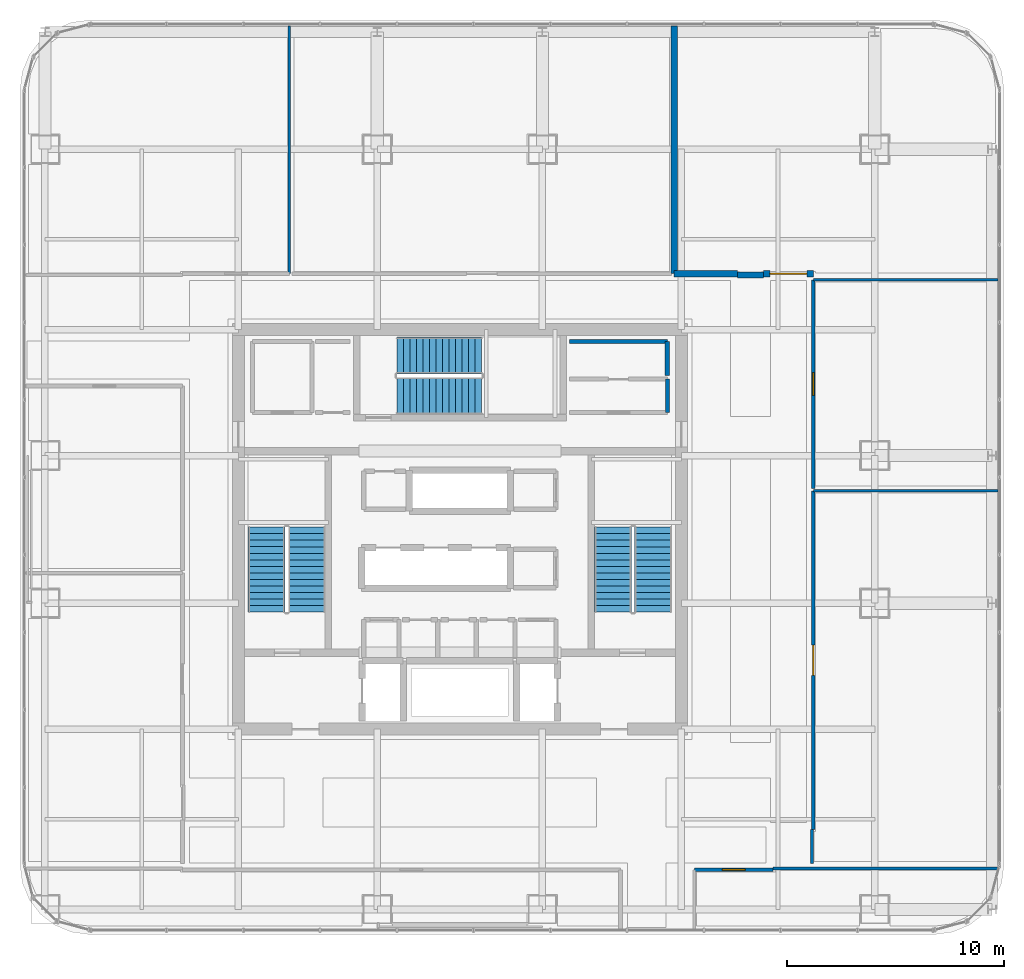
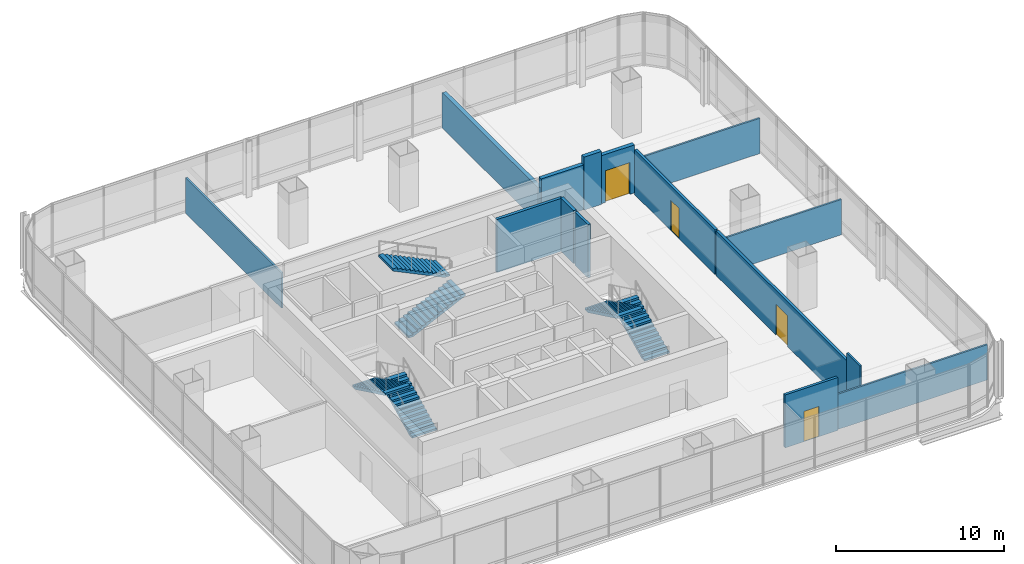
# One storey, part 35 of 40: 15 walls, 6 stair flights, 4 doors, 4 openings, 3 elements without a shape of their own.
"""IFC4 building model written with IfcOpenShell, lengths in metres."""

import ifcopenshell
import ifcopenshell.guid

model = None  # the IFC model being written
_history = None  # IfcOwnerHistory: only IFC2X3 demands one
_inside = {}  # id of a spatial element -> (the spatial element, [elements in it])
_under = {}  # id of a project, library or spatial element -> (it, [spatial elements below it])
_declared = {}  # id of a project -> (the project, [libraries it declares])
_typed = {}  # id of a type object -> (the type object, [elements of that type])
_made_of = {}  # id of a material, layer set ... -> (it, [elements and type objects made of it])


def new_model(schema):
    """Start an empty IFC model of exactly this schema.

    Asked for "IFC4X3", IfcOpenShell would pick the latest addendum, in which some entities
    have other attributes; the version numbers below select the first issue.
    IFC2X3 requires an IfcOwnerHistory on every rooted entity: one is made here for all.
    """
    global model, _history
    if schema == "IFC4X3":
        model = ifcopenshell.file(schema_version=(4, 3, 0, 0))
    else:
        model = ifcopenshell.file(schema=schema)
    _inside.clear()
    _under.clear()
    _declared.clear()
    _typed.clear()
    _made_of.clear()
    _history = None
    if model.schema == "IFC2X3":
        org = make("IfcOrganization", Name="unknown")
        user = make(
            "IfcPersonAndOrganization",
            ThePerson=make("IfcPerson", FamilyName="unknown"),
            TheOrganization=org,
        )
        app = make(
            "IfcApplication",
            ApplicationDeveloper=org,
            Version="unknown",
            ApplicationFullName="unknown",
            ApplicationIdentifier="unknown",
        )
        _history = make(
            "IfcOwnerHistory",
            OwningUser=user,
            OwningApplication=app,
            ChangeAction="ADDED",
            CreationDate=0,
        )
    return model


def make(cls, **values):
    """One entity of the class cls with the attributes given. An attribute that is None is left unset."""
    return model.create_entity(
        cls, **{name: value for name, value in values.items() if value is not None}
    )


def rooted(cls, **values):
    """An entity with a GlobalId (a new one), such as an element, a storey or a relation."""
    return make(cls, GlobalId=ifcopenshell.guid.new(), OwnerHistory=_history, **values)


def si_unit(unit_type, name, prefix=None):
    """IfcSIUnit, for example si_unit("LENGTHUNIT", "METRE", prefix="MILLI")."""
    return make("IfcSIUnit", UnitType=unit_type, Prefix=prefix, Name=name)


def assignment(units):
    """IfcUnitAssignment: the units of a project."""
    return None if units is None else make("IfcUnitAssignment", Units=units)


def point(xyz):
    """IfcCartesianPoint."""
    return None if xyz is None else make("IfcCartesianPoint", Coordinates=xyz)


def direction(xyz):
    """IfcDirection."""
    return None if xyz is None else make("IfcDirection", DirectionRatios=xyz)


def frame(location, z_axis=None, x_axis=None):
    """IfcAxis2Placement3D, a coordinate frame: its origin and axes. An axis left out is left unset."""
    return make(
        "IfcAxis2Placement3D",
        Location=point(location),
        Axis=direction(z_axis),
        RefDirection=direction(x_axis),
    )


def frame_2d(location, x_axis=None):
    """IfcAxis2Placement2D, a coordinate frame in the plane: its origin and x axis."""
    return make(
        "IfcAxis2Placement2D", Location=point(location), RefDirection=direction(x_axis)
    )


def origin():
    """The frame at (0, 0, 0) with its axes left unset."""
    return frame((0.0, 0.0, 0.0))


def place(relative_to, where):
    """IfcLocalPlacement: puts the frame where relative to a parent placement (None: the world)."""
    return make(
        "IfcLocalPlacement", PlacementRelTo=relative_to, RelativePlacement=where
    )


def context(
    kind, dimensions, precision=None, world=None, true_north=None, identifier=None
):
    """IfcGeometricRepresentationContext, for example the 3D "Model" context."""
    return make(
        "IfcGeometricRepresentationContext",
        ContextIdentifier=identifier,
        ContextType=kind,
        CoordinateSpaceDimension=dimensions,
        Precision=precision,
        WorldCoordinateSystem=world,
        TrueNorth=true_north,
    )


def subcontext(parent, identifier, kind, view, scale=None):
    """IfcGeometricRepresentationSubContext, for example "Body" below "Model"."""
    return make(
        "IfcGeometricRepresentationSubContext",
        ContextIdentifier=identifier,
        ContextType=kind,
        ParentContext=parent,
        TargetScale=scale,
        TargetView=view,
    )


def project(units=None, contexts=None):
    """IfcProject with its units and contexts."""
    return rooted(
        "IfcProject",
        Name="project",
        RepresentationContexts=contexts,
        UnitsInContext=assignment(units),
    )


def spatial(cls, under=None, at=None, **own):
    """A site, building, storey or space (cls), placed at a placement, below another one or the project."""
    s = rooted(cls, ObjectPlacement=at, **own)
    if under is not None:
        _under.setdefault(under.id(), (under, []))[1].append(s)
    return s


def polyline(points):
    """IfcPolyline through the points."""
    return make("IfcPolyline", Points=[point(p) for p in points])


def profile(cls, at=None, kind="AREA", **sizes):
    """A parametric profile (cls). Its sizes go by their IFC names, for example OverallWidth=200.0."""
    return make(cls, ProfileType=kind, Position=at, **sizes)


def rectangle(**sizes):
    """IfcRectangleProfileDef."""
    return profile("IfcRectangleProfileDef", **sizes)


def outline(outer, holes=None, kind="AREA"):
    """IfcArbitraryClosedProfileDef: a profile drawn as a closed curve; with holes, ...WithVoids."""
    if holes is None:
        return make("IfcArbitraryClosedProfileDef", ProfileType=kind, OuterCurve=outer)
    return make(
        "IfcArbitraryProfileDefWithVoids",
        ProfileType=kind,
        OuterCurve=outer,
        InnerCurves=holes,
    )


def extrude(swept, where, along, depth):
    """IfcExtrudedAreaSolid: the profile swept, set in the frame where, extruded along a direction by depth."""
    return make(
        "IfcExtrudedAreaSolid",
        SweptArea=swept,
        Position=where,
        ExtrudedDirection=direction(along),
        Depth=depth,
    )


def shape(context_of_items, identifier, shape_type, items):
    """IfcShapeRepresentation: the items that make up one representation, for example the "Body"."""
    return make(
        "IfcShapeRepresentation",
        ContextOfItems=context_of_items,
        RepresentationIdentifier=identifier,
        RepresentationType=shape_type,
        Items=items,
    )


def material(Name=None, Category=None):
    """IfcMaterial."""
    return make("IfcMaterial", Name=Name, Category=Category)


def layer(
    of_material, thickness, ventilated=None, Name=None, Category=None, Priority=None
):
    """IfcMaterialLayer: one layer of a wall or slab, of a material (None: an air gap)."""
    return make(
        "IfcMaterialLayer",
        Material=of_material,
        LayerThickness=thickness,
        IsVentilated=ventilated,
        Name=Name,
        Category=Category,
        Priority=Priority,
    )


def layer_set(layers, Name=None):
    """IfcMaterialLayerSet."""
    return make("IfcMaterialLayerSet", MaterialLayers=layers, LayerSetName=Name)


def made_of(thing, what):
    """Note that an element or type object is made of a material, layer set ...; save() writes the relation."""
    if what is not None:
        _made_of.setdefault(what.id(), (what, []))[1].append(thing)
    return thing


def type_object(cls, material=None, **own):
    """A type object (cls), such as IfcWallType, which elements share."""
    return made_of(rooted(cls, **own), material)


def element(
    cls,
    number,
    at=None,
    inside=None,
    cuts=None,
    type_object=None,
    material=None,
    context=None,
    identifier="Body",
    shape_type=None,
    held_by="IfcProductDefinitionShape",
    body=None,
    shapes=None,
    **own,
):
    """One element of the class cls, such as IfcWall. Its Tag is "e" and its number.

    at: its placement. inside: the storey or other place that contains it. cuts: it is an
    opening in that element (IfcRelVoidsElement). A single representation is given by context,
    identifier, shape_type and body (its items); several are given by shapes. held_by: the class
    of the entity that holds the representations. save() writes the other relations.
    """
    e = rooted(cls, Tag="e%d" % number, ObjectPlacement=at, **own)
    if body is not None:
        shapes = [shape(context, identifier, shape_type, body)]
    if shapes is not None:
        e.Representation = make(held_by, Representations=shapes)
    if inside is not None:
        _inside.setdefault(inside.id(), (inside, []))[1].append(e)
    if cuts is not None:
        rooted(
            "IfcRelVoidsElement", RelatingBuildingElement=cuts, RelatedOpeningElement=e
        )
    if type_object is not None:
        _typed.setdefault(type_object.id(), (type_object, []))[1].append(e)
    return made_of(e, material)


def fill(opening, filler):
    """IfcRelFillsElement: the door or window that sits in an opening."""
    return rooted(
        "IfcRelFillsElement",
        RelatingOpeningElement=opening,
        RelatedBuildingElement=filler,
    )


def aggregate(whole, parts):
    """IfcRelAggregates: a whole, such as a stair, and the parts it consists of."""
    return rooted("IfcRelAggregates", RelatingObject=whole, RelatedObjects=parts)


def save(model, path):
    """Write the relations noted so far, then the file.

    IfcRelAggregates (storeys below a building ...), IfcRelContainedInSpatialStructure (elements
    in a storey), IfcRelDefinesByType, IfcRelAssociatesMaterial and IfcRelDeclares: one each for
    every whole, place, type object, material and project.
    """
    for whole, parts in _under.values():
        aggregate(whole, parts)
    for where, things in _inside.values():
        rooted(
            "IfcRelContainedInSpatialStructure",
            RelatedElements=things,
            RelatingStructure=where,
        )
    for kind, things in _typed.values():
        rooted("IfcRelDefinesByType", RelatedObjects=things, RelatingType=kind)
    for what, things in _made_of.values():
        rooted("IfcRelAssociatesMaterial", RelatedObjects=things, RelatingMaterial=what)
    for by, libraries in _declared.values():
        rooted("IfcRelDeclares", RelatingContext=by, RelatedDefinitions=libraries)
    model.write(path)


model = new_model("IFC4")

# Units and contexts
model_context = context("Model", 3, precision=1e-05, world=origin(), true_north=direction((0.0, 1.0)))
body_context = subcontext(model_context, "Body", "Model", "MODEL_VIEW")
ifc_project = project(units=[si_unit("LENGTHUNIT", "METRE"), si_unit("AREAUNIT", "SQUARE_METRE"), si_unit("VOLUMEUNIT", "CUBIC_METRE"), si_unit("PLANEANGLEUNIT", "RADIAN"), si_unit("MASSUNIT", "GRAM", prefix="KILO")], contexts=[model_context])

# Site, building, storey
site_placement = place(None, origin())
site = spatial("IfcSite", under=ifc_project, at=site_placement, CompositionType="ELEMENT")
building_placement = place(site_placement, origin())
building = spatial("IfcBuilding", under=site, at=building_placement, Name="Punatoya Terracotta Tower", CompositionType="ELEMENT")
storey_placement = place(building_placement, frame((0.0, 0.0, 271.64990234375)))
storey = spatial("IfcBuildingStorey", under=building, at=storey_placement, Name="L64", CompositionType="ELEMENT", Elevation=271.64990234375)

# Wall, opening, door
ifc_material_1 = material(Name="Concrete C40/50", Category="concrete")
ifc_layer_1 = layer(ifc_material_1, 0.280029296875)
ifc_layer_set_1 = layer_set([ifc_layer_1], Name="Concrete C40/50")
wall_type_1 = type_object("IfcWallType", Name="WL-AUD-280", PredefinedType="SOLIDWALL", material=ifc_layer_set_1)
wall_1_placement = place(storey_placement, frame((16.27001953125, 11.77001953125, 0.0), z_axis=(0.0, 0.0, 1.0), x_axis=(-1.0, 0.0, 0.0)))
wall_1 = element("IfcWall", 1, at=wall_1_placement, inside=storey, type_object=wall_type_1, Name="L64 Fitness Movement Lounge Partition 52", PredefinedType="SOLIDWALL", context=body_context, shape_type="SweptSolid", body=[
    extrude(rectangle(XDim=2.2900390625, YDim=0.280029296875, at=frame_2d((1.14501953125, 0.0))), origin(), (0.0, 0.0, 1.0), 3.484130859375),
])
opening_1_placement = place(wall_1_placement, frame((0.294921875, 0.0, 0.0)))
opening_1 = element("IfcOpeningElement", 2, at=opening_1_placement, cuts=wall_1, Name="Opening FD-D1", PredefinedType="OPENING", context=body_context, shape_type="SweptSolid", body=[
    extrude(rectangle(XDim=1.699951171875, YDim=2.300048828125, at=frame_2d((0.85009765625, 1.14990234375))), frame((0.0, 0.14990234375, 0.0), z_axis=(0.0, -1.0, 0.0), x_axis=(1.0, 0.0, 0.0)), (0.0, 0.0, 1.0), 0.300048828125),
])
ifc_material_2 = material(Name="Timber Teak Veneer Fire Leaf", Category="wood")
door_type_1 = type_object("IfcDoorType", Name="DR-DIN-1700", OperationType="NOTDEFINED", PredefinedType="DOOR", material=ifc_material_2)
door_1_placement = place(opening_1_placement, origin())
door_1 = element("IfcDoor", 3, at=door_1_placement, inside=storey, type_object=door_type_1, Name="L64 Fitness Movement Lounge Fire Door", OperationType="DOUBLE_DOOR_SINGLE_SWING", OverallHeight=2.300048828125, OverallWidth=1.699951171875, PredefinedType="DOOR", context=body_context, shape_type="SweptSolid", body=[
    extrude(rectangle(XDim=1.699951171875, YDim=2.300048828125, at=frame_2d((0.85009765625, 1.14990234375))), frame((0.0, 0.02490234375, 0.0), z_axis=(0.0, -1.0, 0.0), x_axis=(1.0, 0.0, 0.0)), (0.0, 0.0, 1.0), 0.050048828125),
])
fill(opening_1, door_1)

# Walls
wall_2_placement = place(storey_placement, frame((13.97998046875, 11.7099609375, 0.0), z_axis=(0.0, 0.0, 1.0), x_axis=(-1.0, 0.0, 0.0)))
element("IfcWall", 4, at=wall_2_placement, inside=storey, type_object=wall_type_1, Name="L64 Fitness Movement Lounge Partition 53", PredefinedType="SOLIDWALL", context=body_context, shape_type="SweptSolid", body=[
    extrude(rectangle(XDim=1.2099609375, YDim=0.280029296875, at=frame_2d((0.60498046875, 0.0))), origin(), (0.0, 0.0, 1.0), 3.85009765625),
])
wall_3_placement = place(storey_placement, frame((12.77001953125, 11.77001953125, 0.0), z_axis=(0.0, 0.0, 1.0), x_axis=(-1.0, 0.0, 0.0)))
element("IfcWall", 5, at=wall_3_placement, inside=storey, type_object=wall_type_1, Name="L64 Fitness Movement Lounge Partition 54", PredefinedType="SOLIDWALL", context=body_context, shape_type="SweptSolid", body=[
    extrude(rectangle(XDim=2.902099609375, YDim=0.280029296875, at=frame_2d((1.451171875, 0.0))), origin(), (0.0, 0.0, 1.0), 3.244140625),
])
wall_4_placement = place(storey_placement, frame((9.867919921875, 11.77001953125, 0.0), z_axis=(0.0, 0.0, 1.0), x_axis=(0.0, 1.0, 0.0)))
element("IfcWall", 6, at=wall_4_placement, inside=storey, type_object=wall_type_1, Name="L64 Fitness Movement Lounge Partition 55", PredefinedType="SOLIDWALL", context=body_context, shape_type="SweptSolid", body=[
    extrude(rectangle(XDim=11.39990234375, YDim=0.280029296875, at=frame_2d((5.699951171875, 0.0))), origin(), (0.0, 0.0, 1.0), 2.564208984375),
])
ifc_material_3 = material(Name="Gypsum Fireboard + Steel Stud", Category="steel")
ifc_layer_2 = layer(ifc_material_3, 0.179931640625)
ifc_layer_set_2 = layer_set([ifc_layer_2], Name="Gypsum Fireboard + Steel Stud")
wall_type_2 = type_object("IfcWallType", Name="WL-CORR-180", PredefinedType="PARTITIONING", material=ifc_layer_set_2)
wall_5_placement = place(storey_placement, frame((9.550048828125, 5.3798828125, 0.0), z_axis=(0.0, 0.0, 1.0), x_axis=(0.0, 1.0, 0.0)))
element("IfcWall", 7, at=wall_5_placement, inside=storey, type_object=wall_type_2, Name="L64 East Core Reference Room Partition 27", PredefinedType="PARTITIONING", context=body_context, shape_type="SweptSolid", body=[
    extrude(rectangle(XDim=1.5400390625, YDim=0.179931640625, at=frame_2d((0.77001953125, 0.0))), origin(), (0.0, 0.0, 1.0), 3.85009765625),
])

# Wall, opening, door
wall_6_placement = place(storey_placement, frame((10.7939453125, -15.669921875, 0.0), z_axis=(0.0, 0.0, 1.0), x_axis=(1.0, 0.0, 0.0)))
wall_6 = element("IfcWall", 8, at=wall_6_placement, inside=storey, type_object=wall_type_2, Name="L64 Open-Plan Occupational Rest Lounge Partition 36", PredefinedType="PARTITIONING", context=body_context, shape_type="SweptSolid", body=[
    extrude(rectangle(XDim=3.6259765625, YDim=0.179931640625, at=frame_2d((1.81298828125, 0.0))), origin(), (0.0, 0.0, 1.0), 3.85009765625),
])
opening_2_placement = place(wall_6_placement, frame((1.2880859375, 0.0, 0.0)))
opening_2 = element("IfcOpeningElement", 9, at=opening_2_placement, cuts=wall_6, Name="Opening OD-01", PredefinedType="OPENING", context=body_context, shape_type="SweptSolid", body=[
    extrude(rectangle(XDim=1.050048828125, YDim=2.199951171875, at=frame_2d((0.52490234375, 1.10009765625))), frame((0.0, 0.099853515625, 0.0), z_axis=(0.0, -1.0, 0.0), x_axis=(1.0, 0.0, 0.0)), (0.0, 0.0, 1.0), 0.199951171875),
])
ifc_material_4 = material(Name="Bengal Teak Solid-Core Leaf")
door_type_2 = type_object("IfcDoorType", Name="DR-OFF-1050", OperationType="NOTDEFINED", PredefinedType="DOOR", material=ifc_material_4)
door_2_placement = place(opening_2_placement, origin())
door_2 = element("IfcDoor", 10, at=door_2_placement, inside=storey, type_object=door_type_2, Name="L64 Open-Plan Occupational Rest Lounge Door", OperationType="SINGLE_SWING_LEFT", OverallHeight=2.199951171875, OverallWidth=1.050048828125, PredefinedType="DOOR", context=body_context, shape_type="SweptSolid", body=[
    extrude(rectangle(XDim=1.050048828125, YDim=2.199951171875, at=frame_2d((0.52490234375, 1.10009765625))), frame((0.0, 0.02490234375, 0.0), z_axis=(0.0, -1.0, 0.0), x_axis=(1.0, 0.0, 0.0)), (0.0, 0.0, 1.0), 0.050048828125),
])
fill(opening_2, door_2)

wall_7_placement = place(storey_placement, frame((16.27001953125, -13.820068359375, 0.0), z_axis=(0.0, 0.0, 1.0), x_axis=(0.0, 1.0, 0.0)))
wall_7 = element("IfcWall", 11, at=wall_7_placement, inside=storey, type_object=wall_type_2, Name="L64 Open-Plan Leadership Training Classroom Partition 43", PredefinedType="PARTITIONING", context=body_context, shape_type="SweptSolid", body=[
    extrude(rectangle(XDim=15.590087890625, YDim=0.179931640625, at=frame_2d((7.794921875, 0.0))), origin(), (0.0, 0.0, 1.0), 3.244140625),
])
opening_3_placement = place(wall_7_placement, frame((7.094970703125, 0.0, 0.0)))
opening_3 = element("IfcOpeningElement", 12, at=opening_3_placement, cuts=wall_7, Name="Opening BD-01", PredefinedType="OPENING", context=body_context, shape_type="SweptSolid", body=[
    extrude(rectangle(XDim=1.39990234375, YDim=2.25, at=frame_2d((0.699951171875, 1.125))), frame((0.0, 0.099853515625, 0.0), z_axis=(0.0, -1.0, 0.0), x_axis=(1.0, 0.0, 0.0)), (0.0, 0.0, 1.0), 0.199951171875),
])
ifc_material_5 = material(Name="Bengal Teak Acoustic Leaf")
door_type_3 = type_object("IfcDoorType", Name="DR-BRD-1400", OperationType="NOTDEFINED", PredefinedType="DOOR", material=ifc_material_5)
door_3_placement = place(opening_3_placement, origin())
door_3 = element("IfcDoor", 13, at=door_3_placement, inside=storey, type_object=door_type_3, Name="L64 Open-Plan Leadership Training Classroom Door", OperationType="SINGLE_SWING_LEFT", OverallHeight=2.25, OverallWidth=1.39990234375, PredefinedType="DOOR", context=body_context, shape_type="SweptSolid", body=[
    extrude(rectangle(XDim=1.39990234375, YDim=2.25, at=frame_2d((0.699951171875, 1.125))), frame((0.0, 0.02490234375, 0.0), z_axis=(0.0, -1.0, 0.0), x_axis=(1.0, 0.0, 0.0)), (0.0, 0.0, 1.0), 0.050048828125),
])
fill(opening_3, door_3)

wall_8_placement = place(storey_placement, frame((16.27001953125, 1.889892578125, 0.0), z_axis=(0.0, 0.0, 1.0), x_axis=(0.0, 1.0, 0.0)))
wall_8 = element("IfcWall", 14, at=wall_8_placement, inside=storey, type_object=wall_type_2, Name="L64 Open-Plan Mindfulness Wellness Room Partition 47", PredefinedType="PARTITIONING", context=body_context, shape_type="SweptSolid", body=[
    extrude(rectangle(XDim=9.60009765625, YDim=0.179931640625, at=frame_2d((4.800048828125, 0.0))), origin(), (0.0, 0.0, 1.0), 3.244140625),
])
opening_4_placement = place(wall_8_placement, frame((4.27490234375, 0.0, 0.0)))
opening_4 = element("IfcOpeningElement", 15, at=opening_4_placement, cuts=wall_8, Name="Opening OD-01", PredefinedType="OPENING", context=body_context, shape_type="SweptSolid", body=[
    extrude(rectangle(XDim=1.050048828125, YDim=2.199951171875, at=frame_2d((0.52490234375, 1.10009765625))), frame((0.0, 0.099853515625, 0.0), z_axis=(0.0, -1.0, 0.0), x_axis=(1.0, 0.0, 0.0)), (0.0, 0.0, 1.0), 0.199951171875),
])
door_4_placement = place(opening_4_placement, origin())
door_4 = element("IfcDoor", 16, at=door_4_placement, inside=storey, type_object=door_type_2, Name="L64 Open-Plan Mindfulness Wellness Room Door", OperationType="SINGLE_SWING_LEFT", OverallHeight=2.199951171875, OverallWidth=1.050048828125, PredefinedType="DOOR", context=body_context, shape_type="SweptSolid", body=[
    extrude(rectangle(XDim=1.050048828125, YDim=2.199951171875, at=frame_2d((0.52490234375, 1.10009765625))), frame((0.0, 0.02490234375, 0.0), z_axis=(0.0, -1.0, 0.0), x_axis=(1.0, 0.0, 0.0)), (0.0, 0.0, 1.0), 0.050048828125),
])
fill(opening_4, door_4)

# Walls
ifc_layer_3 = layer(ifc_material_1, 0.199951171875)
ifc_layer_set_3 = layer_set([ifc_layer_3], Name="Concrete C40/50")
wall_type_3 = type_object("IfcWallType", Name="WL-INT-200", PredefinedType="SOLIDWALL", material=ifc_layer_set_3)
wall_9_placement = place(storey_placement, frame((9.550048828125, 7.080078125, 0.0), z_axis=(0.0, 0.0, 1.0), x_axis=(0.0, 1.0, 0.0)))
element("IfcWall", 17, at=wall_9_placement, inside=storey, type_object=wall_type_3, Name="L64 East Core Supply Store Partition 30", PredefinedType="SOLIDWALL", context=body_context, shape_type="SweptSolid", body=[
    extrude(rectangle(XDim=1.56982421875, YDim=0.199951171875, at=frame_2d((0.784912109375, 0.0))), origin(), (0.0, 0.0, 1.0), 3.85009765625),
])
wall_10_placement = place(storey_placement, frame((9.550048828125, 8.64990234375, 0.0), z_axis=(0.0, 0.0, 1.0), x_axis=(-1.0, 0.0, 0.0)))
element("IfcWall", 18, at=wall_10_placement, inside=storey, type_object=wall_type_3, Name="L64 East Core Supply Store Partition 31", PredefinedType="SOLIDWALL", context=body_context, shape_type="SweptSolid", body=[
    extrude(rectangle(XDim=4.5, YDim=0.199951171875, at=frame_2d((2.25, 0.0))), origin(), (0.0, 0.0, 1.0), 3.85009765625),
])
ifc_material_6 = material(Name="Gypsum Partition + Steel Stud", Category="steel")
ifc_layer_4 = layer(ifc_material_6, 0.1201171875)
ifc_layer_set_4 = layer_set([ifc_layer_4], Name="Gypsum Partition + Steel Stud")
wall_type_4 = type_object("IfcWallType", Name="WL-OFF-120", PredefinedType="PARTITIONING", material=ifc_layer_set_4)
wall_11_placement = place(storey_placement, frame((14.419921875, -15.610107421875, 0.0), z_axis=(0.0, 0.0, 1.0), x_axis=(1.0, 0.0, 0.0)))
element("IfcWall", 19, at=wall_11_placement, inside=storey, type_object=wall_type_4, Name="L64 Open-Plan Occupational Rest Lounge Partition 37", PredefinedType="PARTITIONING", context=body_context, shape_type="SweptSolid", body=[
    extrude(rectangle(XDim=10.32666015625, YDim=0.1201171875, at=frame_2d((5.163330078125, 0.0))), origin(), (0.0, 0.0, 1.0), 2.564208984375),
])
wall_12_placement = place(storey_placement, frame((16.2099609375, -15.389892578125, 0.0), z_axis=(0.0, 0.0, 1.0), x_axis=(0.0, 1.0, 0.0)))
element("IfcWall", 20, at=wall_12_placement, inside=storey, type_object=wall_type_4, Name="L64 Open-Plan Leadership Training Classroom Partition 42", PredefinedType="PARTITIONING", context=body_context, shape_type="SweptSolid", body=[
    extrude(rectangle(XDim=1.56982421875, YDim=0.1201171875, at=frame_2d((0.784912109375, 0.0))), origin(), (0.0, 0.0, 1.0), 3.85009765625),
])
for number, where, z_axis, x_axis, name in (
    (21, (16.27001953125, 1.77001953125, 0.0), (0.0, 0.0, 1.0), (1.0, 0.0, 0.0), "L64 Open-Plan Leadership Training Classroom Partition 44"),
    (22, (16.27001953125, 11.489990234375, 0.0), (0.0, 0.0, 1.0), (1.0, 0.0, 0.0), "L64 Open-Plan Mindfulness Wellness Room Partition 48"),
):
    element("IfcWall", number, at=place(storey_placement, frame(where, z_axis=z_axis, x_axis=x_axis)), inside=storey, type_object=wall_type_4, Name=name, PredefinedType="PARTITIONING", context=body_context, shape_type="SweptSolid", body=[
        extrude(rectangle(XDim=8.5, YDim=0.1201171875, at=frame_2d((4.25, 0.0))), origin(), (0.0, 0.0, 1.0), 2.564208984375),
    ])
wall_13_placement = place(storey_placement, frame((-7.845947265625, 23.169921875, 0.0), z_axis=(0.0, 0.0, 1.0), x_axis=(0.0, -1.0, 0.0)))
element("IfcWall", 23, at=wall_13_placement, inside=storey, type_object=wall_type_4, Name="L64 Open-Plan Cultural Reading Library Partition 49", PredefinedType="PARTITIONING", context=body_context, shape_type="SweptSolid", body=[
    extrude(rectangle(XDim=11.39990234375, YDim=0.1201171875, at=frame_2d((5.699951171875, 0.0))), origin(), (0.0, 0.0, 1.0), 2.564208984375),
])

# Stair, stair flights
stair_type_1 = type_object("IfcStairType", Name="STR-CORE-1550", PredefinedType="HALF_TURN_STAIR", material=ifc_material_1)
stair_1_placement = place(storey_placement, origin())
stair_1 = element("IfcStair", 24, at=stair_1_placement, inside=storey, type_object=stair_type_1, Name="L64 Protected Core Exit Stair ST-1", PredefinedType="HALF_TURN_STAIR")
stair_flight_type_1 = type_object("IfcStairFlightType", Name="SFL-CORE-1550", PredefinedType="STRAIGHT", material=ifc_material_1)
stair_flight_1_placement = place(storey_placement, frame((-7.050048828125, -3.800048828125, 0.0), z_axis=(0.0, 0.0, 1.0), x_axis=(0.0, 1.0, 0.0)))
stair_flight_1 = element("IfcStairFlight", 25, at=stair_flight_1_placement, type_object=stair_flight_type_1, Name="ST-1 flight 1", NumberOfRisers=14, NumberOfTreads=13, PredefinedType="STRAIGHT", RiserHeight=0.144642857, TreadLength=0.3, context=body_context, shape_type="SweptSolid", body=[
    extrude(outline(polyline([(0.0, 0.0), (0.0, 0.14453125), (0.300048828125, 0.14453125), (0.300048828125, 0.289306640625), (0.60009765625, 0.289306640625), (0.60009765625, 0.433837890625), (0.89990234375, 0.433837890625), (0.89990234375, 0.57861328125), (1.199951171875, 0.57861328125), (1.199951171875, 0.72314453125), (1.5, 0.72314453125), (1.5, 0.867919921875), (1.800048828125, 0.867919921875), (1.800048828125, 1.012451171875), (2.10009765625, 1.012451171875), (2.10009765625, 1.1572265625), (2.39990234375, 1.1572265625), (2.39990234375, 1.3017578125), (2.699951171875, 1.3017578125), (2.699951171875, 1.446533203125), (3.0, 1.446533203125), (3.0, 1.591064453125), (3.300048828125, 1.591064453125), (3.300048828125, 1.735595703125), (3.60009765625, 1.735595703125), (3.60009765625, 1.88037109375), (3.89990234375, 1.88037109375), (3.89990234375, 2.02490234375), (3.89990234375, 1.7138671875), (0.34521484375, 0.0), (0.0, 0.0)])), frame((0.0, 0.85009765625, 0.0), z_axis=(0.0, -1.0, 0.0), x_axis=(1.0, 0.0, 0.0)), (0.0, 0.0, 1.0), 1.699951171875),
])
stair_flight_2_placement = place(storey_placement, frame((-8.89990234375, 0.10009765625, 2.025146484375), z_axis=(0.0, 0.0, 1.0), x_axis=(0.0, -1.0, 0.0)))
stair_flight_2 = element("IfcStairFlight", 26, at=stair_flight_2_placement, type_object=stair_flight_type_1, Name="ST-1 flight 2", NumberOfRisers=14, NumberOfTreads=13, PredefinedType="STRAIGHT", RiserHeight=0.144642857, TreadLength=0.3, context=body_context, shape_type="SweptSolid", body=[
    extrude(outline(polyline([(0.0, 0.0), (0.0, 0.14453125), (0.300048828125, 0.14453125), (0.300048828125, 0.289306640625), (0.60009765625, 0.289306640625), (0.60009765625, 0.433837890625), (0.89990234375, 0.433837890625), (0.89990234375, 0.57861328125), (1.199951171875, 0.57861328125), (1.199951171875, 0.72314453125), (1.5, 0.72314453125), (1.5, 0.867919921875), (1.800048828125, 0.867919921875), (1.800048828125, 1.012451171875), (2.10009765625, 1.012451171875), (2.10009765625, 1.1572265625), (2.39990234375, 1.1572265625), (2.39990234375, 1.3017578125), (2.699951171875, 1.3017578125), (2.699951171875, 1.446533203125), (3.0, 1.446533203125), (3.0, 1.591064453125), (3.300048828125, 1.591064453125), (3.300048828125, 1.735595703125), (3.60009765625, 1.735595703125), (3.60009765625, 1.88037109375), (3.89990234375, 1.88037109375), (3.89990234375, 2.02490234375), (3.89990234375, 1.7138671875), (0.34521484375, 0.0), (0.0, 0.0)])), frame((0.0, 0.85009765625, 0.0), z_axis=(0.0, -1.0, 0.0), x_axis=(1.0, 0.0, 0.0)), (0.0, 0.0, 1.0), 1.699951171875),
])
aggregate(stair_1, [stair_flight_1, stair_flight_2])

stair_type_2 = type_object("IfcStairType", Name="STR-LOB-1650", PredefinedType="HALF_TURN_STAIR", material=ifc_material_1)
stair_2_placement = place(storey_placement, origin())
stair_2 = element("IfcStair", 27, at=stair_2_placement, inside=storey, type_object=stair_type_2, Name="L64 Protected Core Exit Stair ST-2", PredefinedType="HALF_TURN_STAIR")
stair_flight_type_2 = type_object("IfcStairFlightType", Name="SFL-LOB-1650", PredefinedType="STRAIGHT", material=ifc_material_1)
stair_flight_3_placement = place(storey_placement, frame((8.89990234375, -3.800048828125, 0.0), z_axis=(0.0, 0.0, 1.0), x_axis=(0.0, 1.0, 0.0)))
stair_flight_3 = element("IfcStairFlight", 28, at=stair_flight_3_placement, type_object=stair_flight_type_2, Name="ST-2 flight 1", NumberOfRisers=14, NumberOfTreads=13, PredefinedType="STRAIGHT", RiserHeight=0.144642857, TreadLength=0.3, context=body_context, shape_type="SweptSolid", body=[
    extrude(outline(polyline([(0.0, 0.0), (0.0, 0.14453125), (0.300048828125, 0.14453125), (0.300048828125, 0.289306640625), (0.60009765625, 0.289306640625), (0.60009765625, 0.433837890625), (0.89990234375, 0.433837890625), (0.89990234375, 0.57861328125), (1.199951171875, 0.57861328125), (1.199951171875, 0.72314453125), (1.5, 0.72314453125), (1.5, 0.867919921875), (1.800048828125, 0.867919921875), (1.800048828125, 1.012451171875), (2.10009765625, 1.012451171875), (2.10009765625, 1.1572265625), (2.39990234375, 1.1572265625), (2.39990234375, 1.3017578125), (2.699951171875, 1.3017578125), (2.699951171875, 1.446533203125), (3.0, 1.446533203125), (3.0, 1.591064453125), (3.300048828125, 1.591064453125), (3.300048828125, 1.735595703125), (3.60009765625, 1.735595703125), (3.60009765625, 1.88037109375), (3.89990234375, 1.88037109375), (3.89990234375, 2.02490234375), (3.89990234375, 1.7138671875), (0.34521484375, 0.0), (0.0, 0.0)])), frame((0.0, 0.85009765625, 0.0), z_axis=(0.0, -1.0, 0.0), x_axis=(1.0, 0.0, 0.0)), (0.0, 0.0, 1.0), 1.699951171875),
])
stair_flight_4_placement = place(storey_placement, frame((7.050048828125, 0.10009765625, 2.025146484375), z_axis=(0.0, 0.0, 1.0), x_axis=(0.0, -1.0, 0.0)))
stair_flight_4 = element("IfcStairFlight", 29, at=stair_flight_4_placement, type_object=stair_flight_type_2, Name="ST-2 flight 2", NumberOfRisers=14, NumberOfTreads=13, PredefinedType="STRAIGHT", RiserHeight=0.144642857, TreadLength=0.3, context=body_context, shape_type="SweptSolid", body=[
    extrude(outline(polyline([(0.0, 0.0), (0.0, 0.14453125), (0.300048828125, 0.14453125), (0.300048828125, 0.289306640625), (0.60009765625, 0.289306640625), (0.60009765625, 0.433837890625), (0.89990234375, 0.433837890625), (0.89990234375, 0.57861328125), (1.199951171875, 0.57861328125), (1.199951171875, 0.72314453125), (1.5, 0.72314453125), (1.5, 0.867919921875), (1.800048828125, 0.867919921875), (1.800048828125, 1.012451171875), (2.10009765625, 1.012451171875), (2.10009765625, 1.1572265625), (2.39990234375, 1.1572265625), (2.39990234375, 1.3017578125), (2.699951171875, 1.3017578125), (2.699951171875, 1.446533203125), (3.0, 1.446533203125), (3.0, 1.591064453125), (3.300048828125, 1.591064453125), (3.300048828125, 1.735595703125), (3.60009765625, 1.735595703125), (3.60009765625, 1.88037109375), (3.89990234375, 1.88037109375), (3.89990234375, 2.02490234375), (3.89990234375, 1.7138671875), (0.34521484375, 0.0), (0.0, 0.0)])), frame((0.0, 0.85009765625, 0.0), z_axis=(0.0, -1.0, 0.0), x_axis=(1.0, 0.0, 0.0)), (0.0, 0.0, 1.0), 1.699951171875),
])
aggregate(stair_2, [stair_flight_3, stair_flight_4])

stair_type_3 = type_object("IfcStairType", Name="STR-TER-1450", PredefinedType="HALF_TURN_STAIR", material=ifc_material_1)
stair_3_placement = place(storey_placement, origin())
stair_3 = element("IfcStair", 30, at=stair_3_placement, inside=storey, type_object=stair_type_3, Name="L64 Protected Core Exit Stair ST-3", PredefinedType="HALF_TURN_STAIR")
stair_flight_type_3 = type_object("IfcStairFlightType", Name="SFL-TER-1450", PredefinedType="STRAIGHT", material=ifc_material_1)
stair_flight_5_placement = place(storey_placement, frame((-2.89990234375, 6.14990234375, 0.0), z_axis=(0.0, 0.0, 1.0), x_axis=(1.0, 0.0, 0.0)))
stair_flight_5 = element("IfcStairFlight", 31, at=stair_flight_5_placement, type_object=stair_flight_type_3, Name="ST-3 flight 1", NumberOfRisers=14, NumberOfTreads=13, PredefinedType="STRAIGHT", RiserHeight=0.144642857, TreadLength=0.3, context=body_context, shape_type="SweptSolid", body=[
    extrude(outline(polyline([(0.0, 0.0), (0.0, 0.14453125), (0.300048828125, 0.14453125), (0.300048828125, 0.289306640625), (0.60009765625, 0.289306640625), (0.60009765625, 0.433837890625), (0.89990234375, 0.433837890625), (0.89990234375, 0.57861328125), (1.199951171875, 0.57861328125), (1.199951171875, 0.72314453125), (1.5, 0.72314453125), (1.5, 0.867919921875), (1.800048828125, 0.867919921875), (1.800048828125, 1.012451171875), (2.10009765625, 1.012451171875), (2.10009765625, 1.1572265625), (2.39990234375, 1.1572265625), (2.39990234375, 1.3017578125), (2.699951171875, 1.3017578125), (2.699951171875, 1.446533203125), (3.0, 1.446533203125), (3.0, 1.591064453125), (3.300048828125, 1.591064453125), (3.300048828125, 1.735595703125), (3.60009765625, 1.735595703125), (3.60009765625, 1.88037109375), (3.89990234375, 1.88037109375), (3.89990234375, 2.02490234375), (3.89990234375, 1.7138671875), (0.34521484375, 0.0), (0.0, 0.0)])), frame((0.0, 0.85009765625, 0.0), z_axis=(0.0, -1.0, 0.0), x_axis=(1.0, 0.0, 0.0)), (0.0, 0.0, 1.0), 1.699951171875),
])
stair_flight_6_placement = place(storey_placement, frame((1.0, 8.0, 2.025146484375), z_axis=(0.0, 0.0, 1.0), x_axis=(-1.0, 0.0, 0.0)))
stair_flight_6 = element("IfcStairFlight", 32, at=stair_flight_6_placement, type_object=stair_flight_type_3, Name="ST-3 flight 2", NumberOfRisers=14, NumberOfTreads=13, PredefinedType="STRAIGHT", RiserHeight=0.144642857, TreadLength=0.3, context=body_context, shape_type="SweptSolid", body=[
    extrude(outline(polyline([(0.0, 0.0), (0.0, 0.14453125), (0.300048828125, 0.14453125), (0.300048828125, 0.289306640625), (0.60009765625, 0.289306640625), (0.60009765625, 0.433837890625), (0.89990234375, 0.433837890625), (0.89990234375, 0.57861328125), (1.199951171875, 0.57861328125), (1.199951171875, 0.72314453125), (1.5, 0.72314453125), (1.5, 0.867919921875), (1.800048828125, 0.867919921875), (1.800048828125, 1.012451171875), (2.10009765625, 1.012451171875), (2.10009765625, 1.1572265625), (2.39990234375, 1.1572265625), (2.39990234375, 1.3017578125), (2.699951171875, 1.3017578125), (2.699951171875, 1.446533203125), (3.0, 1.446533203125), (3.0, 1.591064453125), (3.300048828125, 1.591064453125), (3.300048828125, 1.735595703125), (3.60009765625, 1.735595703125), (3.60009765625, 1.88037109375), (3.89990234375, 1.88037109375), (3.89990234375, 2.02490234375), (3.89990234375, 1.7138671875), (0.34521484375, 0.0), (0.0, 0.0)])), frame((0.0, 0.85009765625, 0.0), z_axis=(0.0, -1.0, 0.0), x_axis=(1.0, 0.0, 0.0)), (0.0, 0.0, 1.0), 1.699951171875),
])
aggregate(stair_3, [stair_flight_5, stair_flight_6])

save(model, "model.ifc")
